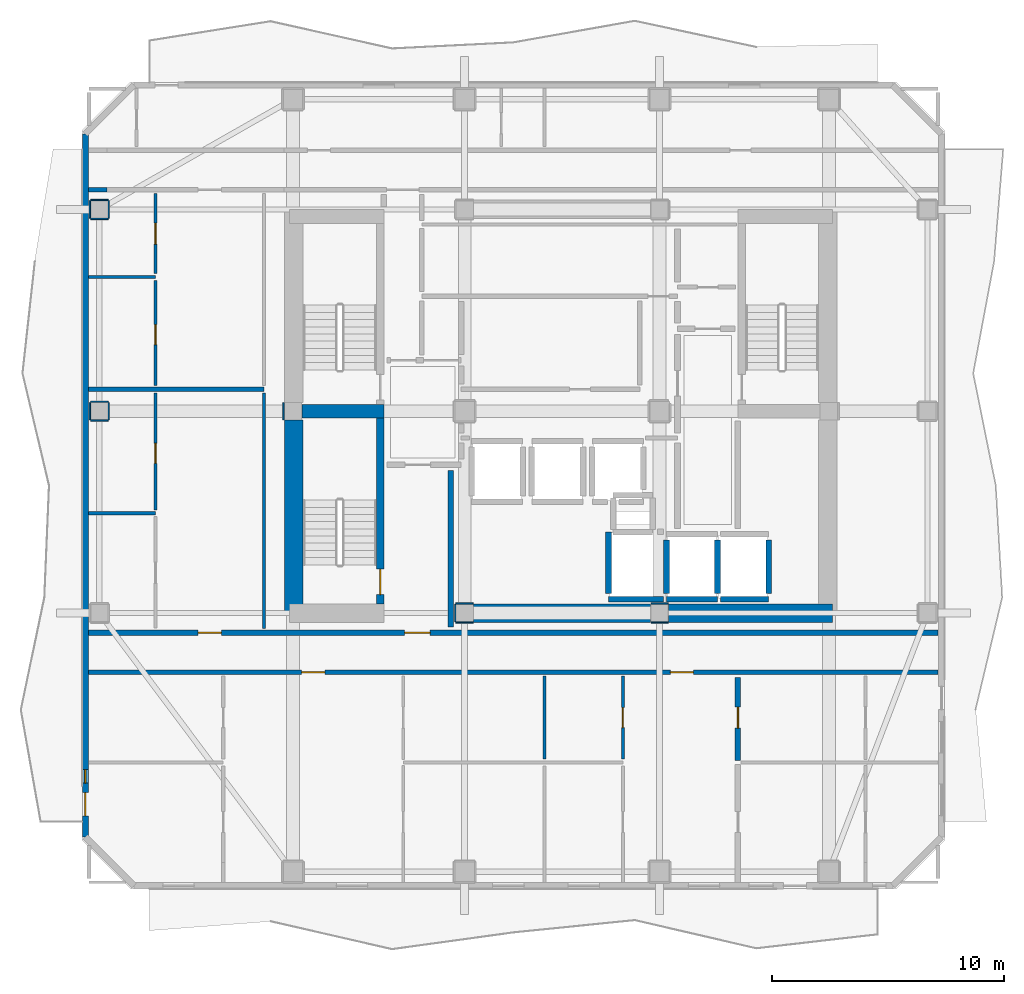
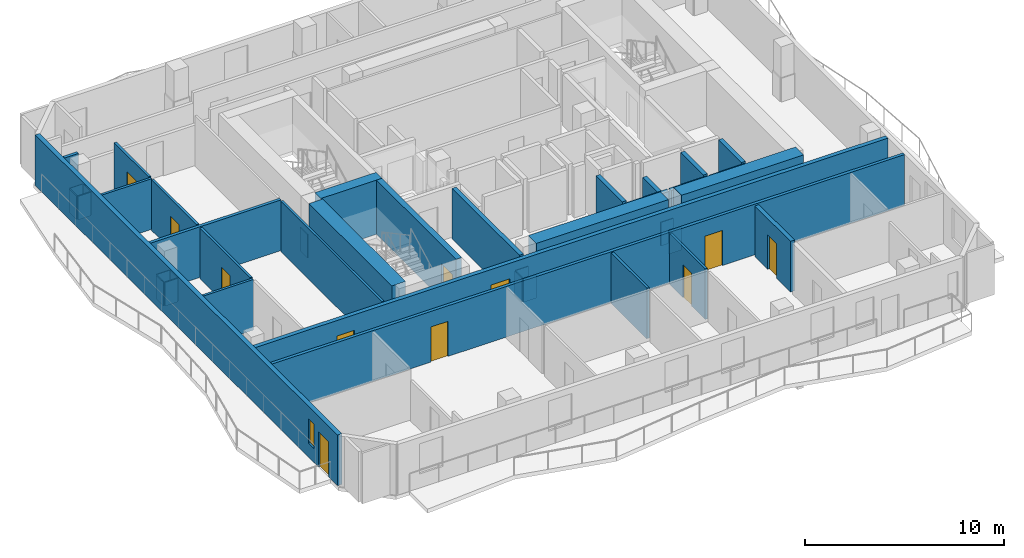
# One storey, part 3 of 10: 41 walls, 11 doors, 1 window, 12 openings.
"""IFC4 building model written with IfcOpenShell, lengths in metres."""

from ifc_helpers import new_model, si_unit, direction, frame, frame_2d, origin, place, context, subcontext, project, spatial, rectangle, extrude, material, layer, layer_set, type_object, element, fill, save


model = new_model("IFC4")

# Units and contexts
model_context = context("Model", 3, precision=1e-05, world=origin(), true_north=direction((0.0, 1.0)))
body_context = subcontext(model_context, "Body", "Model", "MODEL_VIEW")
ifc_project = project(units=[si_unit("LENGTHUNIT", "METRE"), si_unit("AREAUNIT", "SQUARE_METRE"), si_unit("VOLUMEUNIT", "CUBIC_METRE"), si_unit("PLANEANGLEUNIT", "RADIAN"), si_unit("MASSUNIT", "GRAM", prefix="KILO")], contexts=[model_context])

# Site, building, storey
site_placement = place(None, origin())
site = spatial("IfcSite", under=ifc_project, at=site_placement, CompositionType="ELEMENT")
building_placement = place(site_placement, origin())
building = spatial("IfcBuilding", under=site, at=building_placement, Name="Solanera Arch Residences", CompositionType="ELEMENT")
storey_placement = place(building_placement, frame((0.0, 0.0, 193.47998046875)))
storey = spatial("IfcBuildingStorey", under=building, at=storey_placement, Name="L56", CompositionType="ELEMENT", Elevation=193.47998046875)

# Walls
ifc_material_1 = material(Name="Fire-Rated Gypsum Stud Partition", Category="gypsum")
ifc_layer_1 = layer(ifc_material_1, 0.06005859375)
ifc_layer_set_1 = layer_set([ifc_layer_1], Name="Fire-Rated Gypsum Stud Partition")
wall_type_1 = type_object("IfcWallType", Name="Column Acoustic Furring Wall 60", PredefinedType="PARTITIONING", material=ifc_layer_set_1)
for number, where, z_axis, x_axis, name in (
    (1, (20.425048828125, 21.593017578125, 0.0), (0.0, 0.0, 1.0), (1.0, 0.0, 0.0), "L56 Column Furring 1S"),
    (2, (20.425048828125, 22.406982421875, 0.0), (0.0, 0.0, 1.0), (1.0, 0.0, 0.0), "L56 Column Furring 1N"),
):
    element("IfcWall", number, at=place(storey_placement, frame(where, z_axis=z_axis, x_axis=x_axis)), inside=storey, type_object=wall_type_1, Name=name, PredefinedType="PARTITIONING", context=body_context, shape_type="SweptSolid", body=[
        extrude(rectangle(XDim=0.741943359375, YDim=0.06005859375, at=frame_2d((0.37109375, 0.0))), origin(), (0.0, 0.0, 1.0), 1.449951171875),
    ])
wall_1_placement = place(storey_placement, frame((20.39306640625, 21.625, 0.0), z_axis=(0.0, 0.0, 1.0), x_axis=(0.0, 1.0, 0.0)))
element("IfcWall", 3, at=wall_1_placement, inside=storey, type_object=wall_type_1, Name="L56 Column Furring 1W", PredefinedType="PARTITIONING", context=body_context, shape_type="SweptSolid", body=[
    extrude(rectangle(XDim=0.75, YDim=0.06005859375, at=frame_2d((0.375, 0.0))), origin(), (0.0, 0.0, 1.0), 1.449951171875),
])
for number, where, z_axis, x_axis, name in (
    (4, (28.8330078125, 21.593017578125, 0.0), (0.0, 0.0, 1.0), (1.0, 0.0, 0.0), "L56 Column Furring 2S"),
    (5, (28.8330078125, 22.406982421875, 0.0), (0.0, 0.0, 1.0), (1.0, 0.0, 0.0), "L56 Column Furring 2N"),
):
    element("IfcWall", number, at=place(storey_placement, frame(where, z_axis=z_axis, x_axis=x_axis)), inside=storey, type_object=wall_type_1, Name=name, PredefinedType="PARTITIONING", context=body_context, shape_type="SweptSolid", body=[
        extrude(rectangle(XDim=0.73388671875, YDim=0.06005859375, at=frame_2d((0.366943359375, 0.0))), origin(), (0.0, 0.0, 1.0), 1.449951171875),
    ])
for number, where, z_axis, x_axis, name in (
    (6, (12.992919921875, 30.324951171875, 0.0), (0.0, 0.0, 1.0), (0.0, 1.0, 0.0), "L56 Column Furring 5W"),
    (7, (4.675048828125, 30.29296875, 0.0), (0.0, 0.0, 1.0), (1.0, 0.0, 0.0), "L56 Column Furring 19S"),
    (8, (4.675048828125, 31.10693359375, 0.0), (0.0, 0.0, 1.0), (1.0, 0.0, 0.0), "L56 Column Furring 19N"),
    (9, (4.64306640625, 30.324951171875, 0.0), (0.0, 0.0, 1.0), (0.0, 1.0, 0.0), "L56 Column Furring 19W"),
    (10, (5.45703125, 30.324951171875, 0.0), (0.0, 0.0, 1.0), (0.0, 1.0, 0.0), "L56 Column Furring 19E"),
    (11, (4.675048828125, 38.992919921875, 0.0), (0.0, 0.0, 1.0), (1.0, 0.0, 0.0), "L56 Column Furring 21S"),
    (12, (4.675048828125, 39.806884765625, 0.0), (0.0, 0.0, 1.0), (1.0, 0.0, 0.0), "L56 Column Furring 21N"),
    (13, (4.64306640625, 39.02490234375, 0.0), (0.0, 0.0, 1.0), (0.0, 1.0, 0.0), "L56 Column Furring 21W"),
    (14, (5.45703125, 39.02490234375, 0.0), (0.0, 0.0, 1.0), (0.0, 1.0, 0.0), "L56 Column Furring 21E"),
):
    element("IfcWall", number, at=place(storey_placement, frame(where, z_axis=z_axis, x_axis=x_axis)), inside=storey, type_object=wall_type_1, Name=name, PredefinedType="PARTITIONING", context=body_context, shape_type="SweptSolid", body=[
        extrude(rectangle(XDim=0.75, YDim=0.06005859375, at=frame_2d((0.375, 0.0))), origin(), (0.0, 0.0, 1.0), 1.449951171875),
    ])

# Wall, opening, door
ifc_material_2 = material(Name="Concrete C40/50 (f'c = 45 MPa)", Category="concrete")
ifc_layer_2 = layer(ifc_material_2, 0.320068359375)
ifc_layer_set_2 = layer_set([ifc_layer_2], Name="Concrete C40/50 (f'c = 45 MPa)")
wall_type_2 = type_object("IfcWallType", Name="Core Shear Wall CW-320", PredefinedType="SHEAR", material=ifc_layer_set_2)
wall_2_placement = place(storey_placement, frame((17.159912109375, 22.39990234375, 0.0), z_axis=(0.0, 0.0, 1.0), x_axis=(0.0, 1.0, 0.0)))
wall_2 = element("IfcWall", 15, at=wall_2_placement, inside=storey, type_object=wall_type_2, Name="L56 Stair ST-T3 East Shear Wall", PredefinedType="SHEAR", context=body_context, shape_type="SweptSolid", body=[
    extrude(rectangle(XDim=8.0, YDim=0.320068359375, at=frame_2d((4.0, 0.0))), origin(), (0.0, 0.0, 1.0), 3.320068359375),
])
opening_1_placement = place(wall_2_placement, frame((0.389892578125, 0.0, 0.0)))
opening_1 = element("IfcOpeningElement", 16, at=opening_1_placement, cuts=wall_2, Name="Opening DF-01", PredefinedType="OPENING", context=body_context, shape_type="SweptSolid", body=[
    extrude(rectangle(XDim=1.10009765625, YDim=2.14990234375, at=frame_2d((0.550048828125, 1.074951171875))), frame((0.0, 0.169921875, 0.0), z_axis=(0.0, -1.0, 0.0), x_axis=(1.0, 0.0, 0.0)), (0.0, 0.0, 1.0), 0.3401),
])
ifc_material_3 = material(Name="Fire-Rated Architectural Hardwood", Category="wood")
door_type_1 = type_object("IfcDoorType", Name="Stair Exit Fire Door DF-01", OperationType="NOTDEFINED", PredefinedType="DOOR", material=ifc_material_3)
door_1_placement = place(opening_1_placement, origin())
door_1 = element("IfcDoor", 17, at=door_1_placement, inside=storey, type_object=door_type_1, Name="DR-L56-STAIR-ST-T3", OperationType="SINGLE_SWING_LEFT", OverallHeight=2.14990234375, OverallWidth=1.10009765625, PredefinedType="DOOR", context=body_context, shape_type="SweptSolid", body=[
    extrude(rectangle(XDim=1.10009765625, YDim=2.14990234375, at=frame_2d((0.550048828125, 1.074951171875))), frame((0.0, 0.02490234375, 0.0), z_axis=(0.0, -1.0, 0.0), x_axis=(1.0, 0.0, 0.0)), (0.0, 0.0, 1.0), 0.050048828125),
])
fill(opening_1, door_1)

# Walls
ifc_material_4 = material(Name="Concrete C40/50 (f'c = 45 MPa)", Category="concrete")
ifc_layer_3 = layer(ifc_material_4, 0.60009765625)
ifc_layer_set_3 = layer_set([ifc_layer_3], Name="Concrete C40/50 (f'c = 45 MPa)")
wall_type_3 = type_object("IfcWallType", Name="Core Shear Wall CW-600", PredefinedType="SHEAR", material=ifc_layer_set_3)
wall_3_placement = place(storey_placement, frame((13.780029296875, 30.699951171875, 0.0), z_axis=(0.0, 0.0, 1.0), x_axis=(1.0, 0.0, 0.0)))
element("IfcWall", 18, at=wall_3_placement, inside=storey, type_object=wall_type_3, Name="L56 West Stair Divider Shear Wall", PredefinedType="SHEAR", context=body_context, shape_type="SweptSolid", body=[
    extrude(rectangle(XDim=3.5400390625, YDim=0.60009765625, at=frame_2d((1.77001953125, 0.0))), origin(), (0.0, 0.0, 1.0), 3.320068359375),
])
ifc_material_5 = material(Name="Concrete C40/50 (f'c = 45 MPa)", Category="concrete")
ifc_layer_4 = layer(ifc_material_5, 0.800048828125)
ifc_layer_set_4 = layer_set([ifc_layer_4], Name="Concrete C40/50 (f'c = 45 MPa)")
wall_type_4 = type_object("IfcWallType", Name="Core Shear Wall CW-800", PredefinedType="SHEAR", material=ifc_layer_set_4)
wall_4_placement = place(storey_placement, frame((13.43994140625, 22.0, 0.0), z_axis=(0.0, 0.0, 1.0), x_axis=(0.0, 1.0, 0.0)))
element("IfcWall", 19, at=wall_4_placement, inside=storey, type_object=wall_type_4, Name="L56 West Core South Shear Wall", PredefinedType="SHEAR", context=body_context, shape_type="SweptSolid", body=[
    extrude(rectangle(XDim=8.320068359375, YDim=0.800048828125, at=frame_2d((4.16015625, 0.0))), origin(), (0.0, 0.0, 1.0), 3.320068359375),
])
wall_5_placement = place(storey_placement, frame((29.580078125, 22.0, 0.0), z_axis=(0.0, 0.0, 1.0), x_axis=(1.0, 0.0, 0.0)))
element("IfcWall", 20, at=wall_5_placement, inside=storey, type_object=wall_type_4, Name="L56 South-East Core Shear Wall", PredefinedType="SHEAR", context=body_context, shape_type="SweptSolid", body=[
    extrude(rectangle(XDim=7.079833984375, YDim=0.800048828125, at=frame_2d((3.5400390625, 0.0))), origin(), (0.0, 0.0, 1.0), 3.320068359375),
])
wall_6_placement = place(storey_placement, frame((21.179931640625, 22.0, 0.0), z_axis=(0.0, 0.0, 1.0), x_axis=(1.0, 0.0, 0.0)))
element("IfcWall", 21, at=wall_6_placement, inside=storey, type_object=wall_type_4, Name="L56 Central South Core Shear Wall", PredefinedType="SHEAR", context=body_context, shape_type="SweptSolid", body=[
    extrude(rectangle(XDim=7.64013671875, YDim=0.800048828125, at=frame_2d((3.820068359375, 0.0))), origin(), (0.0, 0.0, 1.0), 3.320068359375),
])

# Wall, openings, doors
ifc_material_6 = material(Name="Autoclaved Aerated Concrete Blockwork", Category="masonry")
ifc_layer_5 = layer(ifc_material_6, 0.179931640625)
ifc_layer_set_5 = layer_set([ifc_layer_5], Name="Autoclaved Aerated Concrete Blockwork")
wall_type_5 = type_object("IfcWallType", Name="Corridor Fire Partition 180", PredefinedType="PARTITIONING", material=ifc_layer_set_5)
wall_7_placement = place(storey_placement, frame((4.5869140625, 19.449951171875, 0.0), z_axis=(0.0, 0.0, 1.0), x_axis=(1.0, 0.0, 0.0)))
wall_7 = element("IfcWall", 22, at=wall_7_placement, inside=storey, type_object=wall_type_5, Name="L56 Interior Partition H7", PredefinedType="PARTITIONING", context=body_context, shape_type="SweptSolid", body=[
    extrude(rectangle(XDim=36.6259765625, YDim=0.179931640625, at=frame_2d((18.31298828125, 0.0))), origin(), (0.0, 0.0, 1.0), 3.10009765625),
])
opening_2_placement = place(wall_7_placement, frame((9.18408203125, 0.0, 0.0)))
opening_2 = element("IfcOpeningElement", 23, at=opening_2_placement, cuts=wall_7, Name="Opening DI-01", PredefinedType="OPENING", context=body_context, shape_type="SweptSolid", body=[
    extrude(rectangle(XDim=1.0, YDim=2.14990234375, at=frame_2d((0.5, 1.074951171875))), frame((0.0, 0.10009765625, 0.0), z_axis=(0.0, -1.0, 0.0), x_axis=(1.0, 0.0, 0.0)), (0.0, 0.0, 1.0), 0.1999),
])
opening_3_placement = place(wall_7_placement, frame((25.075927734375, 0.0, 0.0)))
opening_3 = element("IfcOpeningElement", 24, at=opening_3_placement, cuts=wall_7, Name="Opening DI-01", PredefinedType="OPENING", context=body_context, shape_type="SweptSolid", body=[
    extrude(rectangle(XDim=1.0, YDim=2.14990234375, at=frame_2d((0.5, 1.074951171875))), frame((0.0, 0.10009765625, 0.0), z_axis=(0.0, -1.0, 0.0), x_axis=(1.0, 0.0, 0.0)), (0.0, 0.0, 1.0), 0.1999),
])
ifc_material_7 = material(Name="Fire-Rated Architectural Hardwood", Category="wood")
door_type_2 = type_object("IfcDoorType", Name="Unit Entrance Fire Door DI-01", OperationType="NOTDEFINED", PredefinedType="DOOR", material=ifc_material_7)
door_2_placement = place(opening_2_placement, origin())
door_2 = element("IfcDoor", 25, at=door_2_placement, inside=storey, type_object=door_type_2, Name="DR-L56-IN-014", OperationType="SINGLE_SWING_RIGHT", OverallHeight=2.14990234375, OverallWidth=1.0, PredefinedType="DOOR", context=body_context, shape_type="SweptSolid", body=[
    extrude(rectangle(XDim=1.0, YDim=2.14990234375, at=frame_2d((0.5, 1.074951171875))), frame((0.0, 0.02490234375, 0.0), z_axis=(0.0, -1.0, 0.0), x_axis=(1.0, 0.0, 0.0)), (0.0, 0.0, 1.0), 0.050048828125),
])
fill(opening_2, door_2)
door_3_placement = place(opening_3_placement, origin())
door_3 = element("IfcDoor", 26, at=door_3_placement, inside=storey, type_object=door_type_2, Name="DR-L56-IN-019", OperationType="SINGLE_SWING_LEFT", OverallHeight=2.14990234375, OverallWidth=1.0, PredefinedType="DOOR", context=body_context, shape_type="SweptSolid", body=[
    extrude(rectangle(XDim=1.0, YDim=2.14990234375, at=frame_2d((0.5, 1.074951171875))), frame((0.0, 0.02490234375, 0.0), z_axis=(0.0, -1.0, 0.0), x_axis=(1.0, 0.0, 0.0)), (0.0, 0.0, 1.0), 0.050048828125),
])
fill(opening_3, door_3)

# Walls
wall_8_placement = place(storey_placement, frame((4.5869140625, 31.64990234375, 0.0), z_axis=(0.0, 0.0, 1.0), x_axis=(1.0, 0.0, 0.0)))
element("IfcWall", 27, at=wall_8_placement, inside=storey, type_object=wall_type_5, Name="L56 Interior Partition H9", PredefinedType="PARTITIONING", context=body_context, shape_type="SweptSolid", body=[
    extrude(rectangle(XDim=7.56298828125, YDim=0.179931640625, at=frame_2d((3.781494140625, 0.0))), origin(), (0.0, 0.0, 1.0), 3.10009765625),
])
wall_9_placement = place(storey_placement, frame((4.5869140625, 40.25, 0.0), z_axis=(0.0, 0.0, 1.0), x_axis=(1.0, 0.0, 0.0)))
element("IfcWall", 28, at=wall_9_placement, inside=storey, type_object=wall_type_5, Name="L56 Interior Partition H12 1", PredefinedType="PARTITIONING", context=body_context, shape_type="SweptSolid", body=[
    extrude(rectangle(XDim=0.801025390625, YDim=0.179931640625, at=frame_2d((0.400390625, 0.0))), origin(), (0.0, 0.0, 1.0), 3.10009765625),
])

# Wall, openings, door, window
ifc_material_8 = material(Name="Precast Concrete C35/45", Category="concrete")
ifc_layer_6 = layer(ifc_material_8, 0.260009765625)
ifc_layer_set_6 = layer_set([ifc_layer_6], Name="Precast Concrete C35/45")
wall_type_6 = type_object("IfcWallType", Name="Exterior Wall Precast Masonry-Frame 260", PredefinedType="STANDARD", material=ifc_layer_set_6)
wall_10_placement = place(storey_placement, frame((4.445068359375, 12.344970703125, 0.0), z_axis=(0.0, 0.0, 1.0), x_axis=(0.0, 1.0, 0.0)))
wall_10 = element("IfcWall", 29, at=wall_10_placement, inside=storey, type_object=wall_type_6, Name="L56 Tower Exterior Precast Masonry-Frame Wall W", PredefinedType="STANDARD", context=body_context, shape_type="SweptSolid", body=[
    extrude(rectangle(XDim=30.31005859375, YDim=0.260009765625, at=frame_2d((15.155029296875, 0.0))), origin(), (0.0, 0.0, 1.0), 3.10009765625),
])
opening_4_placement = place(wall_10_placement, frame((0.909912109375, 0.0, 0.0)))
opening_4 = element("IfcOpeningElement", 30, at=opening_4_placement, cuts=wall_10, Name="Opening DB-01", PredefinedType="OPENING", context=body_context, shape_type="SweptSolid", body=[
    extrude(rectangle(XDim=1.0, YDim=2.14990234375, at=frame_2d((0.5, 1.074951171875))), frame((0.0, 0.139892578125, 0.0), z_axis=(0.0, -1.0, 0.0), x_axis=(1.0, 0.0, 0.0)), (0.0, 0.0, 1.0), 0.28),
])
opening_5_placement = place(wall_10_placement, frame((2.322021484375, 0.0, 0.85009765625)))
opening_5 = element("IfcOpeningElement", 31, at=opening_5_placement, cuts=wall_10, Name="Opening W-14", PredefinedType="OPENING", context=body_context, shape_type="SweptSolid", body=[
    extrude(rectangle(XDim=0.580078125, YDim=1.5, at=frame_2d((0.2900390625, 0.75))), frame((0.0, 0.139892578125, 0.0), z_axis=(0.0, -1.0, 0.0), x_axis=(1.0, 0.0, 0.0)), (0.0, 0.0, 1.0), 0.28),
])
ifc_material_9 = material(Name="Anodised Aluminium Alloy 6063-T6", Category="aluminium")
door_type_3 = type_object("IfcDoorType", Name="Glazed Balcony Swing Door DB-01", OperationType="NOTDEFINED", PredefinedType="DOOR", material=ifc_material_9)
door_4_placement = place(opening_4_placement, origin())
door_4 = element("IfcDoor", 32, at=door_4_placement, inside=storey, type_object=door_type_3, Name="DR-L56-OUT-04", OperationType="SINGLE_SWING_LEFT", OverallHeight=2.14990234375, OverallWidth=1.0, PredefinedType="DOOR", context=body_context, shape_type="SweptSolid", body=[
    extrude(rectangle(XDim=1.0, YDim=2.14990234375, at=frame_2d((0.5, 1.074951171875))), frame((0.0, 0.02490234375, 0.0), z_axis=(0.0, -1.0, 0.0), x_axis=(1.0, 0.0, 0.0)), (0.0, 0.0, 1.0), 0.050048828125),
])
fill(opening_4, door_4)
ifc_material_10 = material(Name="Double Glazed Low-E Laminated Glass", Category="glass")
window_type = type_object("IfcWindowType", Name="Punched Window W-14", PartitioningType="SINGLE_PANEL", PredefinedType="WINDOW", material=ifc_material_10)
window_placement = place(opening_5_placement, origin())
window = element("IfcWindow", 33, at=window_placement, inside=storey, type_object=window_type, Name="L56 5601-BR1 Punched Window", OverallHeight=1.5, OverallWidth=0.580078125, PartitioningType="SINGLE_PANEL", PredefinedType="WINDOW", context=body_context, shape_type="SweptSolid", body=[
    extrude(rectangle(XDim=0.580078125, YDim=1.5, at=frame_2d((0.2900390625, 0.75))), frame((0.0, 0.030029296875, 0.0), z_axis=(0.0, -1.0, 0.0), x_axis=(1.0, 0.0, 0.0)), (0.0, 0.0, 1.0), 0.06005859375),
])
fill(opening_5, window)

# Walls
ifc_material_11 = material(Name="Autoclaved Aerated Concrete Blockwork", Category="masonry")
ifc_layer_7 = layer(ifc_material_11, 0.239990234375)
ifc_layer_set_7 = layer_set([ifc_layer_7], Name="Autoclaved Aerated Concrete Blockwork")
wall_type_7 = type_object("IfcWallType", Name="Shaft Wall Fire-Rated 240", PredefinedType="PARTITIONING", material=ifc_layer_set_7)
wall_11_placement = place(storey_placement, frame((29.5, 22.60009765625, 0.0), z_axis=(0.0, 0.0, 1.0), x_axis=(1.0, 0.0, 0.0)))
element("IfcWall", 34, at=wall_11_placement, inside=storey, type_object=wall_type_7, Name="L56 Lift FFL-1 Hoistway Wall S", PredefinedType="PARTITIONING", context=body_context, shape_type="SweptSolid", body=[
    extrude(rectangle(XDim=2.199951171875, YDim=0.239990234375, at=frame_2d((1.10009765625, 0.0))), origin(), (0.0, 0.0, 1.0), 3.10009765625),
])
wall_12_placement = place(storey_placement, frame((29.5, 22.847900390625, 0.0), z_axis=(0.0, 0.0, 1.0), x_axis=(0.0, 1.0, 0.0)))
element("IfcWall", 35, at=wall_12_placement, inside=storey, type_object=wall_type_7, Name="L56 Lift FFL-1 Hoistway Wall W", PredefinedType="PARTITIONING", context=body_context, shape_type="SweptSolid", body=[
    extrude(rectangle(XDim=2.30419921875, YDim=0.239990234375, at=frame_2d((1.152099609375, 0.0))), origin(), (0.0, 0.0, 1.0), 2.3349609375),
])
wall_13_placement = place(storey_placement, frame((31.699951171875, 22.847900390625, 0.0), z_axis=(0.0, 0.0, 1.0), x_axis=(0.0, 1.0, 0.0)))
element("IfcWall", 36, at=wall_13_placement, inside=storey, type_object=wall_type_7, Name="L56 Lift FFL-1 Hoistway Wall E", PredefinedType="PARTITIONING", context=body_context, shape_type="SweptSolid", body=[
    extrude(rectangle(XDim=2.30419921875, YDim=0.239990234375, at=frame_2d((1.152099609375, 0.0))), origin(), (0.0, 0.0, 1.0), 3.10009765625),
])
wall_14_placement = place(storey_placement, frame((31.827880859375, 22.60009765625, 0.0), z_axis=(0.0, 0.0, 1.0), x_axis=(1.0, 0.0, 0.0)))
element("IfcWall", 37, at=wall_14_placement, inside=storey, type_object=wall_type_7, Name="L56 Lift FFL-2 Hoistway Wall S", PredefinedType="PARTITIONING", context=body_context, shape_type="SweptSolid", body=[
    extrude(rectangle(XDim=2.072021484375, YDim=0.239990234375, at=frame_2d((1.0361328125, 0.0))), origin(), (0.0, 0.0, 1.0), 3.10009765625),
])
wall_15_placement = place(storey_placement, frame((33.89990234375, 22.847900390625, 0.0), z_axis=(0.0, 0.0, 1.0), x_axis=(0.0, 1.0, 0.0)))
element("IfcWall", 38, at=wall_15_placement, inside=storey, type_object=wall_type_7, Name="L56 Lift FFL-2 Hoistway Wall E", PredefinedType="PARTITIONING", context=body_context, shape_type="SweptSolid", body=[
    extrude(rectangle(XDim=2.30419921875, YDim=0.239990234375, at=frame_2d((1.152099609375, 0.0))), origin(), (0.0, 0.0, 1.0), 3.10009765625),
])
wall_16_placement = place(storey_placement, frame((27.0, 22.60009765625, 0.0), z_axis=(0.0, 0.0, 1.0), x_axis=(1.0, 0.0, 0.0)))
element("IfcWall", 39, at=wall_16_placement, inside=storey, type_object=wall_type_7, Name="L56 Lift SVL-1 Hoistway Wall S", PredefinedType="PARTITIONING", context=body_context, shape_type="SweptSolid", body=[
    extrude(rectangle(XDim=2.3720703125, YDim=0.239990234375, at=frame_2d((1.18603515625, 0.0))), origin(), (0.0, 0.0, 1.0), 3.10009765625),
])
wall_17_placement = place(storey_placement, frame((27.0, 22.847900390625, 0.0), z_axis=(0.0, 0.0, 1.0), x_axis=(0.0, 1.0, 0.0)))
element("IfcWall", 40, at=wall_17_placement, inside=storey, type_object=wall_type_7, Name="L56 Lift SVL-1 Hoistway Wall W", PredefinedType="PARTITIONING", context=body_context, shape_type="SweptSolid", body=[
    extrude(rectangle(XDim=2.650146484375, YDim=0.239990234375, at=frame_2d((1.3251953125, 0.0))), origin(), (0.0, 0.0, 1.0), 3.10009765625),
])

# Wall, openings, doors
wall_18_placement = place(storey_placement, frame((4.5869140625, 21.14990234375, 0.0), z_axis=(0.0, 0.0, 1.0), x_axis=(1.0, 0.0, 0.0)))
wall_18 = element("IfcWall", 41, at=wall_18_placement, inside=storey, type_object=wall_type_7, Name="L56 Interior Partition H1", PredefinedType="PARTITIONING", context=body_context, shape_type="SweptSolid", body=[
    extrude(rectangle(XDim=36.6259765625, YDim=0.239990234375, at=frame_2d((18.31298828125, 0.0))), origin(), (0.0, 0.0, 1.0), 3.10009765625),
])
opening_6_placement = place(wall_18_placement, frame((13.623046875, 0.0, 0.0)))
opening_6 = element("IfcOpeningElement", 42, at=opening_6_placement, cuts=wall_18, Name="Opening DF-02", PredefinedType="OPENING", context=body_context, shape_type="SweptSolid", body=[
    extrude(rectangle(XDim=1.10009765625, YDim=2.14990234375, at=frame_2d((0.550048828125, 1.074951171875))), frame((0.0, 0.1298828125, 0.0), z_axis=(0.0, -1.0, 0.0), x_axis=(1.0, 0.0, 0.0)), (0.0, 0.0, 1.0), 0.26),
])
opening_7_placement = place(wall_18_placement, frame((4.722900390625, 0.0, 0.0)))
opening_7 = element("IfcOpeningElement", 43, at=opening_7_placement, cuts=wall_18, Name="Opening DI-01", PredefinedType="OPENING", context=body_context, shape_type="SweptSolid", body=[
    extrude(rectangle(XDim=1.0, YDim=2.14990234375, at=frame_2d((0.5, 1.074951171875))), frame((0.0, 0.1298828125, 0.0), z_axis=(0.0, -1.0, 0.0), x_axis=(1.0, 0.0, 0.0)), (0.0, 0.0, 1.0), 0.26),
])
ifc_material_12 = material(Name="Fire-Rated Architectural Hardwood", Category="wood")
door_type_4 = type_object("IfcDoorType", Name="Firefighting Lobby Fire Door DF-02", OperationType="NOTDEFINED", PredefinedType="DOOR", material=ifc_material_12)
door_5_placement = place(opening_6_placement, origin())
door_5 = element("IfcDoor", 44, at=door_5_placement, inside=storey, type_object=door_type_4, Name="DR-L56-IN-008", OperationType="SINGLE_SWING_RIGHT", OverallHeight=2.14990234375, OverallWidth=1.10009765625, PredefinedType="DOOR", context=body_context, shape_type="SweptSolid", body=[
    extrude(rectangle(XDim=1.10009765625, YDim=2.14990234375, at=frame_2d((0.550048828125, 1.074951171875))), frame((0.0, 0.02490234375, 0.0), z_axis=(0.0, -1.0, 0.0), x_axis=(1.0, 0.0, 0.0)), (0.0, 0.0, 1.0), 0.050048828125),
])
fill(opening_6, door_5)
door_6_placement = place(opening_7_placement, origin())
door_6 = element("IfcDoor", 45, at=door_6_placement, inside=storey, type_object=door_type_2, Name="DR-L56-IN-030", OperationType="SINGLE_SWING_RIGHT", OverallHeight=2.14990234375, OverallWidth=1.0, PredefinedType="DOOR", context=body_context, shape_type="SweptSolid", body=[
    extrude(rectangle(XDim=1.0, YDim=2.14990234375, at=frame_2d((0.5, 1.074951171875))), frame((0.0, 0.02490234375, 0.0), z_axis=(0.0, -1.0, 0.0), x_axis=(1.0, 0.0, 0.0)), (0.0, 0.0, 1.0), 0.050048828125),
])
fill(opening_7, door_6)

# Wall
wall_19_placement = place(storey_placement, frame((20.199951171875, 21.39794921875, 0.0), z_axis=(0.0, 0.0, 1.0), x_axis=(0.0, 1.0, 0.0)))
element("IfcWall", 46, at=wall_19_placement, inside=storey, type_object=wall_type_7, Name="L56 Interior Partition V2", PredefinedType="PARTITIONING", context=body_context, shape_type="SweptSolid", body=[
    extrude(rectangle(XDim=6.754150390625, YDim=0.239990234375, at=frame_2d((3.376953125, 0.0))), origin(), (0.0, 0.0, 1.0), 3.10009765625),
])

# Wall, opening, door
wall_20_placement = place(storey_placement, frame((32.580078125, 15.64404296875, 0.0), z_axis=(0.0, 0.0, 1.0), x_axis=(0.0, 1.0, 0.0)))
wall_20 = element("IfcWall", 47, at=wall_20_placement, inside=storey, type_object=wall_type_7, Name="L56 Interior Partition V5 2", PredefinedType="PARTITIONING", context=body_context, shape_type="SweptSolid", body=[
    extrude(rectangle(XDim=3.587890625, YDim=0.239990234375, at=frame_2d((1.7939453125, 0.0))), origin(), (0.0, 0.0, 1.0), 3.10009765625),
])
opening_8_placement = place(wall_20_placement, frame((1.39794921875, 0.0, 0.0)))
opening_8 = element("IfcOpeningElement", 48, at=opening_8_placement, cuts=wall_20, Name="Opening DI-02", PredefinedType="OPENING", context=body_context, shape_type="SweptSolid", body=[
    extrude(rectangle(XDim=0.89990234375, YDim=2.10009765625, at=frame_2d((0.449951171875, 1.050048828125))), frame((0.0, 0.1298828125, 0.0), z_axis=(0.0, -1.0, 0.0), x_axis=(1.0, 0.0, 0.0)), (0.0, 0.0, 1.0), 0.26),
])
ifc_material_13 = material(Name="Fire-Rated Architectural Hardwood", Category="wood")
door_type_5 = type_object("IfcDoorType", Name="Suite Room Swing Door DI-02", OperationType="NOTDEFINED", PredefinedType="DOOR", material=ifc_material_13)
door_7_placement = place(opening_8_placement, origin())
door_7 = element("IfcDoor", 49, at=door_7_placement, inside=storey, type_object=door_type_5, Name="DR-L56-IN-022", OperationType="SINGLE_SWING_RIGHT", OverallHeight=2.10009765625, OverallWidth=0.89990234375, PredefinedType="DOOR", context=body_context, shape_type="SweptSolid", body=[
    extrude(rectangle(XDim=0.89990234375, YDim=2.10009765625, at=frame_2d((0.449951171875, 1.050048828125))), frame((0.0, 0.02490234375, 0.0), z_axis=(0.0, -1.0, 0.0), x_axis=(1.0, 0.0, 0.0)), (0.0, 0.0, 1.0), 0.050048828125),
])
fill(opening_8, door_7)

# Walls
ifc_material_14 = material(Name="Fire-Rated Gypsum Stud Partition", Category="gypsum")
ifc_layer_8 = layer(ifc_material_14, 0.1201171875)
ifc_layer_set_8 = layer_set([ifc_layer_8], Name="Fire-Rated Gypsum Stud Partition")
wall_type_8 = type_object("IfcWallType", Name="Unit Drywall Partition 120", PredefinedType="PARTITIONING", material=ifc_layer_set_8)
wall_21_placement = place(storey_placement, frame((12.14990234375, 21.337890625, 0.0), z_axis=(0.0, 0.0, 1.0), x_axis=(0.0, 1.0, 0.0)))
element("IfcWall", 50, at=wall_21_placement, inside=storey, type_object=wall_type_8, Name="L56 Interior Partition V18 1", PredefinedType="PARTITIONING", context=body_context, shape_type="SweptSolid", body=[
    extrude(rectangle(XDim=10.154052734375, YDim=0.1201171875, at=frame_2d((5.0771484375, 0.0))), origin(), (0.0, 0.0, 1.0), 3.10009765625),
])
ifc_material_15 = material(Name="Autoclaved Aerated Concrete Blockwork", Category="masonry")
ifc_layer_9 = layer(ifc_material_15, 0.139892578125)
ifc_layer_set_9 = layer_set([ifc_layer_9], Name="Autoclaved Aerated Concrete Blockwork")
wall_type_9 = type_object("IfcWallType", Name="Wet-Room Partition 140", PredefinedType="PARTITIONING", material=ifc_layer_set_9)
for number, where, z_axis, x_axis, name in (
    (51, (4.5869140625, 26.300048828125, 0.0), (0.0, 0.0, 1.0), (1.0, 0.0, 0.0), "L56 Interior Partition H17"),
    (52, (4.5869140625, 36.487060546875, 0.0), (0.0, 0.0, 1.0), (1.0, 0.0, 0.0), "L56 Interior Partition H18"),
):
    element("IfcWall", number, at=place(storey_placement, frame(where, z_axis=z_axis, x_axis=x_axis)), inside=storey, type_object=wall_type_9, Name=name, PredefinedType="PARTITIONING", context=body_context, shape_type="SweptSolid", body=[
        extrude(rectangle(XDim=2.882080078125, YDim=0.139892578125, at=frame_2d((1.44091796875, 0.0))), origin(), (0.0, 0.0, 1.0), 3.10009765625),
    ])

# Wall, opening, door
wall_22_placement = place(storey_placement, frame((7.468994140625, 26.447998046875, 0.0), z_axis=(0.0, 0.0, 1.0), x_axis=(0.0, 1.0, 0.0)))
wall_22 = element("IfcWall", 53, at=wall_22_placement, inside=storey, type_object=wall_type_9, Name="L56 Interior Partition V13 2", PredefinedType="PARTITIONING", context=body_context, shape_type="SweptSolid", body=[
    extrude(rectangle(XDim=5.033935546875, YDim=0.139892578125, at=frame_2d((2.51708984375, 0.0))), origin(), (0.0, 0.0, 1.0), 3.10009765625),
])
opening_9_placement = place(wall_22_placement, frame((2.009033203125, 0.0, 0.0)))
opening_9 = element("IfcOpeningElement", 54, at=opening_9_placement, cuts=wall_22, Name="Opening DI-05", PredefinedType="OPENING", context=body_context, shape_type="SweptSolid", body=[
    extrude(rectangle(XDim=0.860107421875, YDim=2.02001953125, at=frame_2d((0.43017578125, 1.010009765625))), frame((0.0, 0.079833984375, 0.0), z_axis=(0.0, -1.0, 0.0), x_axis=(1.0, 0.0, 0.0)), (0.0, 0.0, 1.0), 0.1599),
])
ifc_material_16 = material(Name="Fire-Rated Architectural Hardwood", Category="wood")
door_type_6 = type_object("IfcDoorType", Name="Bathroom Swing Door DI-05", OperationType="NOTDEFINED", PredefinedType="DOOR", material=ifc_material_16)
door_8_placement = place(opening_9_placement, origin())
door_8 = element("IfcDoor", 55, at=door_8_placement, inside=storey, type_object=door_type_6, Name="DR-L56-IN-032", OperationType="SINGLE_SWING_RIGHT", OverallHeight=2.02001953125, OverallWidth=0.860107421875, PredefinedType="DOOR", context=body_context, shape_type="SweptSolid", body=[
    extrude(rectangle(XDim=0.860107421875, YDim=2.02001953125, at=frame_2d((0.43017578125, 1.010009765625))), frame((0.0, 0.02490234375, 0.0), z_axis=(0.0, -1.0, 0.0), x_axis=(1.0, 0.0, 0.0)), (0.0, 0.0, 1.0), 0.050048828125),
])
fill(opening_9, door_8)

wall_23_placement = place(storey_placement, frame((7.468994140625, 31.818115234375, 0.0), z_axis=(0.0, 0.0, 1.0), x_axis=(0.0, 1.0, 0.0)))
wall_23 = element("IfcWall", 56, at=wall_23_placement, inside=storey, type_object=wall_type_9, Name="L56 Interior Partition V13 3", PredefinedType="PARTITIONING", context=body_context, shape_type="SweptSolid", body=[
    extrude(rectangle(XDim=4.52099609375, YDim=0.139892578125, at=frame_2d((2.260498046875, 0.0))), origin(), (0.0, 0.0, 1.0), 3.10009765625),
])
opening_10_placement = place(wall_23_placement, frame((1.758056640625, 0.0, 0.0)))
opening_10 = element("IfcOpeningElement", 57, at=opening_10_placement, cuts=wall_23, Name="Opening DI-05", PredefinedType="OPENING", context=body_context, shape_type="SweptSolid", body=[
    extrude(rectangle(XDim=0.860107421875, YDim=2.02001953125, at=frame_2d((0.43017578125, 1.010009765625))), frame((0.0, 0.079833984375, 0.0), z_axis=(0.0, -1.0, 0.0), x_axis=(1.0, 0.0, 0.0)), (0.0, 0.0, 1.0), 0.1599),
])
door_9_placement = place(opening_10_placement, origin())
door_9 = element("IfcDoor", 58, at=door_9_placement, inside=storey, type_object=door_type_6, Name="DR-L56-IN-035", OperationType="SINGLE_SWING_LEFT", OverallHeight=2.02001953125, OverallWidth=0.860107421875, PredefinedType="DOOR", context=body_context, shape_type="SweptSolid", body=[
    extrude(rectangle(XDim=0.860107421875, YDim=2.02001953125, at=frame_2d((0.43017578125, 1.010009765625))), frame((0.0, 0.02490234375, 0.0), z_axis=(0.0, -1.0, 0.0), x_axis=(1.0, 0.0, 0.0)), (0.0, 0.0, 1.0), 0.050048828125),
])
fill(opening_10, door_9)

wall_24_placement = place(storey_placement, frame((7.468994140625, 36.635009765625, 0.0), z_axis=(0.0, 0.0, 1.0), x_axis=(0.0, 1.0, 0.0)))
wall_24 = element("IfcWall", 59, at=wall_24_placement, inside=storey, type_object=wall_type_9, Name="L56 Interior Partition V13 4", PredefinedType="PARTITIONING", context=body_context, shape_type="SweptSolid", body=[
    extrude(rectangle(XDim=3.447021484375, YDim=0.139892578125, at=frame_2d((1.7236328125, 0.0))), origin(), (0.0, 0.0, 1.0), 3.10009765625),
])
opening_11_placement = place(wall_24_placement, frame((1.27099609375, 0.0, 0.0)))
opening_11 = element("IfcOpeningElement", 60, at=opening_11_placement, cuts=wall_24, Name="Opening DI-02", PredefinedType="OPENING", context=body_context, shape_type="SweptSolid", body=[
    extrude(rectangle(XDim=0.89990234375, YDim=2.10009765625, at=frame_2d((0.449951171875, 1.050048828125))), frame((0.0, 0.079833984375, 0.0), z_axis=(0.0, -1.0, 0.0), x_axis=(1.0, 0.0, 0.0)), (0.0, 0.0, 1.0), 0.1599),
])
door_10_placement = place(opening_11_placement, origin())
door_10 = element("IfcDoor", 61, at=door_10_placement, inside=storey, type_object=door_type_5, Name="DR-L56-IN-034", OperationType="SINGLE_SWING_RIGHT", OverallHeight=2.10009765625, OverallWidth=0.89990234375, PredefinedType="DOOR", context=body_context, shape_type="SweptSolid", body=[
    extrude(rectangle(XDim=0.89990234375, YDim=2.10009765625, at=frame_2d((0.449951171875, 1.050048828125))), frame((0.0, 0.02490234375, 0.0), z_axis=(0.0, -1.0, 0.0), x_axis=(1.0, 0.0, 0.0)), (0.0, 0.0, 1.0), 0.050048828125),
])
fill(opening_11, door_10)

# Wall
wall_25_placement = place(storey_placement, frame((24.243896484375, 15.70703125, 0.0), z_axis=(0.0, 0.0, 1.0), x_axis=(0.0, 1.0, 0.0)))
element("IfcWall", 62, at=wall_25_placement, inside=storey, type_object=wall_type_9, Name="L56 Interior Partition V15 2", PredefinedType="PARTITIONING", context=body_context, shape_type="SweptSolid", body=[
    extrude(rectangle(XDim=3.574951171875, YDim=0.139892578125, at=frame_2d((1.78759765625, 0.0))), origin(), (0.0, 0.0, 1.0), 3.10009765625),
])

# Wall, opening, door
wall_26_placement = place(storey_placement, frame((27.6201171875, 15.70703125, 0.0), z_axis=(0.0, 0.0, 1.0), x_axis=(0.0, 1.0, 0.0)))
wall_26 = element("IfcWall", 63, at=wall_26_placement, inside=storey, type_object=wall_type_9, Name="L56 Interior Partition V17 2", PredefinedType="PARTITIONING", context=body_context, shape_type="SweptSolid", body=[
    extrude(rectangle(XDim=3.574951171875, YDim=0.139892578125, at=frame_2d((1.78759765625, 0.0))), origin(), (0.0, 0.0, 1.0), 3.10009765625),
])
opening_12_placement = place(wall_26_placement, frame((1.35498046875, 0.0, 0.0)))
opening_12 = element("IfcOpeningElement", 64, at=opening_12_placement, cuts=wall_26, Name="Opening DI-05", PredefinedType="OPENING", context=body_context, shape_type="SweptSolid", body=[
    extrude(rectangle(XDim=0.860107421875, YDim=2.02001953125, at=frame_2d((0.43017578125, 1.010009765625))), frame((0.0, 0.079833984375, 0.0), z_axis=(0.0, -1.0, 0.0), x_axis=(1.0, 0.0, 0.0)), (0.0, 0.0, 1.0), 0.1599),
])
door_11_placement = place(opening_12_placement, origin())
door_11 = element("IfcDoor", 65, at=door_11_placement, inside=storey, type_object=door_type_6, Name="DR-L56-IN-020", OperationType="SINGLE_SWING_RIGHT", OverallHeight=2.02001953125, OverallWidth=0.860107421875, PredefinedType="DOOR", context=body_context, shape_type="SweptSolid", body=[
    extrude(rectangle(XDim=0.860107421875, YDim=2.02001953125, at=frame_2d((0.43017578125, 1.010009765625))), frame((0.0, 0.02490234375, 0.0), z_axis=(0.0, -1.0, 0.0), x_axis=(1.0, 0.0, 0.0)), (0.0, 0.0, 1.0), 0.050048828125),
])
fill(opening_12, door_11)

save(model, "model.ifc")
